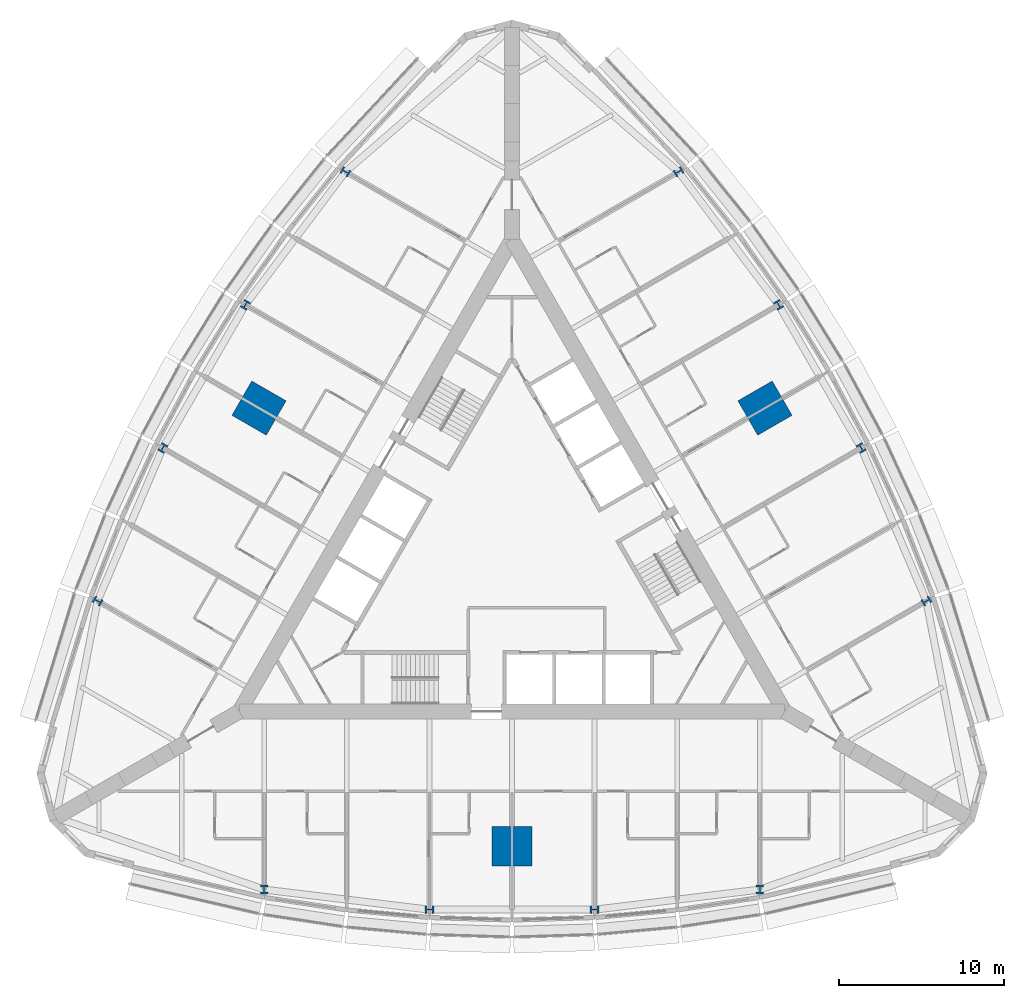
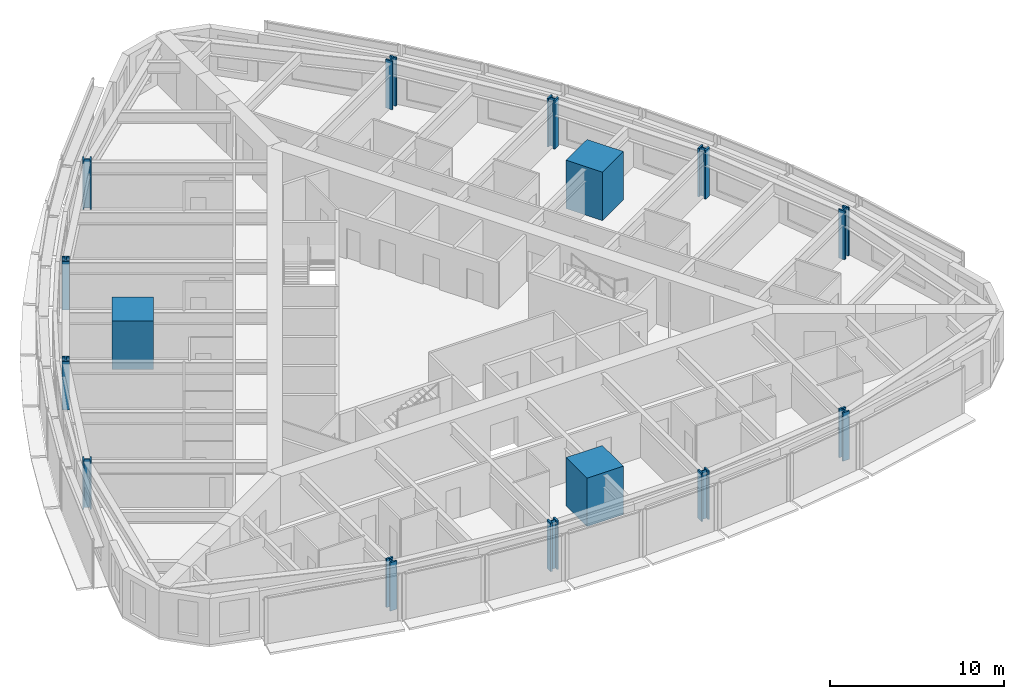
# One storey, part 1 of 14: 15 columns.
"""IFC4 building model written with IfcOpenShell, lengths in metres."""

from ifc_helpers import new_model, si_unit, direction, frame, origin, origin_2d, place, context, subcontext, project, spatial, rectangle, i_section, extrude, material, material_profile, profile_set, type_object, element, save


model = new_model("IFC4")

# Units and contexts
model_context = context("Model", 3, precision=1e-05, world=origin(), true_north=direction((0.0, 1.0)))
body_context = subcontext(model_context, "Body", "Model", "MODEL_VIEW")
ifc_project = project(units=[si_unit("LENGTHUNIT", "METRE"), si_unit("AREAUNIT", "SQUARE_METRE"), si_unit("VOLUMEUNIT", "CUBIC_METRE"), si_unit("PLANEANGLEUNIT", "RADIAN"), si_unit("MASSUNIT", "GRAM", prefix="KILO")], contexts=[model_context])

# Site, building, storey
site_placement = place(None, origin())
site = spatial("IfcSite", under=ifc_project, at=site_placement, CompositionType="ELEMENT")
building_placement = place(site_placement, origin())
building = spatial("IfcBuilding", under=site, at=building_placement, Name="Trikona Tower", CompositionType="ELEMENT")
storey_placement = place(building_placement, frame((0.0, 0.0, 76.10009765625)))
storey = spatial("IfcBuildingStorey", under=building, at=storey_placement, Name="L19", CompositionType="ELEMENT", Elevation=76.10009765625)

# Columns
ifc_material_1 = material(Name="Concrete f'c 10000 psi with encased steel section", Category="concrete")
ifc_material_profile_1 = material_profile(ifc_material_1, rectangle(XDim=2.39990234375, YDim=2.39990234375, at=origin_2d()), Name="MC2400")
ifc_profile_set_1 = profile_set([ifc_material_profile_1], Name="Concrete f'c 10000 psi with encased steel section")
column_type_1 = type_object("IfcColumnType", Name="Composite mega column 2400x2400", PredefinedType="COLUMN", material=ifc_profile_set_1)
for number, where, z_axis, x_axis, name in (
    (1, (0.0, -17.680419921875, 0.0), (0.0, 0.0, 1.0), (0.0, -1.0, 0.0), "Mega column MC1"),
    (2, (15.311767578125, 8.84033203125, 0.0), (0.0, 0.0, 1.0), (0.866025403784, 0.5, 0.0), "Mega column MC2"),
    (3, (-15.311767578125, 8.84033203125, 0.0), (0.0, 0.0, 1.0), (-0.866025403784, 0.5, 0.0), "Mega column MC3"),
):
    element("IfcColumn", number, at=place(storey_placement, frame(where, z_axis=z_axis, x_axis=x_axis)), inside=storey, type_object=column_type_1, Name=name, PredefinedType="COLUMN", context=body_context, shape_type="SweptSolid", body=[
        extrude(rectangle(XDim=2.39990234375, YDim=2.39990234375, at=origin_2d()), origin(), (0.0, 0.0, 1.0), 3.39990234375),
    ])
ifc_material_2 = material(Name="Steel ASTM A992 Grade 50", Category="steel")
ifc_material_profile_2 = material_profile(ifc_material_2, i_section(OverallWidth=0.44189453125, OverallDepth=0.53076171875, WebThickness=0.06591796875, FlangeThickness=0.105712890625, at=origin_2d()), Name="W14X605")
ifc_profile_set_2 = profile_set([ifc_material_profile_2], Name="Steel ASTM A992 Grade 50")
column_type_2 = type_object("IfcColumnType", Name="Steel column W14x605", PredefinedType="COLUMN", material=ifc_profile_set_2)
for number, where, z_axis, x_axis, name in (
    (4, (-15.0, -20.302978515625, 0.0), (0.0, 0.0, 1.0), (1.0, 0.0, 0.0), "Column F0m15"),
    (5, (-5.0, -21.5205078125, 0.0), (0.0, 0.0, 1.0), (0.0, -1.0, 0.0), "Column F0m5"),
    (6, (5.0, -21.5205078125, 0.0), (0.0, 0.0, 1.0), (0.0, -1.0, 0.0), "Column F0p5"),
    (7, (15.0, -20.302978515625, 0.0), (0.0, 0.0, 1.0), (1.0, 0.0, 0.0), "Column F0p15"),
    (8, (25.0830078125, -2.8388671875, 0.0), (0.0, 0.0, 1.0), (-0.5, 0.866025403784, 0.0), "Column F1m15"),
    (9, (21.13720703125, 6.43017578125, 0.0), (0.0, 0.0, 1.0), (0.866025403784, 0.5, 0.0), "Column F1m5"),
    (10, (16.13720703125, 15.09033203125, 0.0), (0.0, 0.0, 1.0), (0.866025403784, 0.5, 0.0), "Column F1p5"),
    (11, (10.0830078125, 23.141845703125, 0.0), (0.0, 0.0, 1.0), (-0.5, 0.866025403784, 0.0), "Column F1p15"),
    (12, (-10.0830078125, 23.141845703125, 0.0), (0.0, 0.0, 1.0), (-0.5, -0.866025403784, 0.0), "Column F2m15"),
    (13, (-16.13720703125, 15.09033203125, 0.0), (0.0, 0.0, 1.0), (-0.866025403784, 0.5, 0.0), "Column F2m5"),
    (14, (-21.13720703125, 6.43017578125, 0.0), (0.0, 0.0, 1.0), (-0.866025403784, 0.5, 0.0), "Column F2p5"),
    (15, (-25.0830078125, -2.8388671875, 0.0), (0.0, 0.0, 1.0), (-0.5, -0.866025403784, 0.0), "Column F2p15"),
):
    element("IfcColumn", number, at=place(storey_placement, frame(where, z_axis=z_axis, x_axis=x_axis)), inside=storey, type_object=column_type_2, Name=name, PredefinedType="COLUMN", context=body_context, shape_type="SweptSolid", body=[
        extrude(i_section(OverallWidth=0.44189453125, OverallDepth=0.53076171875, WebThickness=0.06591796875, FlangeThickness=0.105712890625, at=origin_2d()), origin(), (0.0, 0.0, 1.0), 3.39990234375),
    ])

save(model, "model.ifc")
